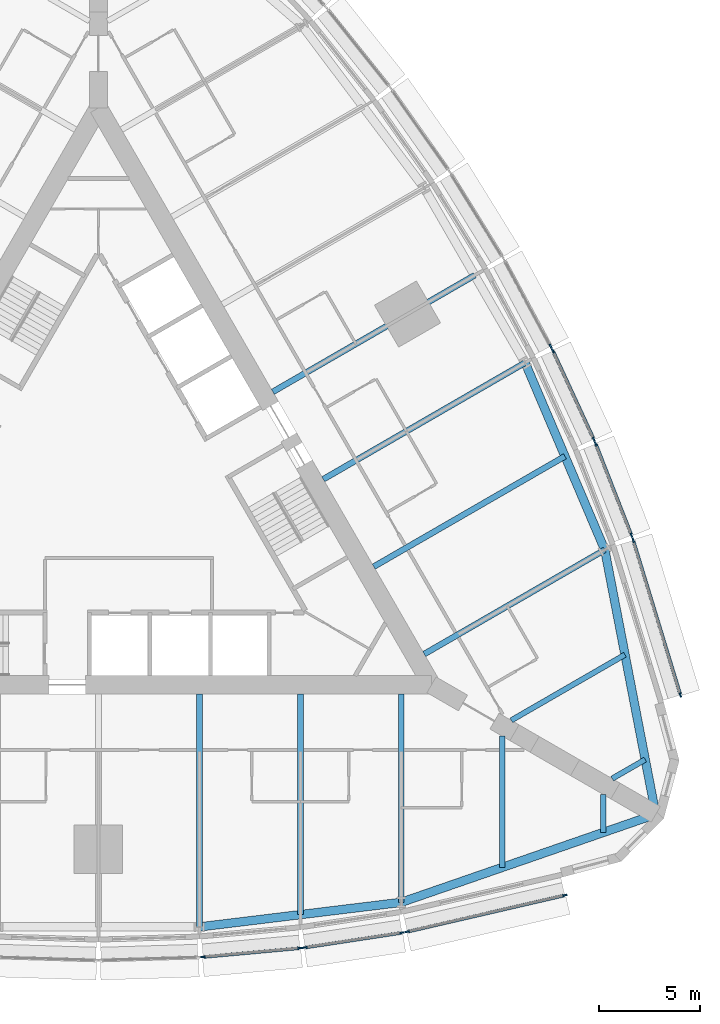
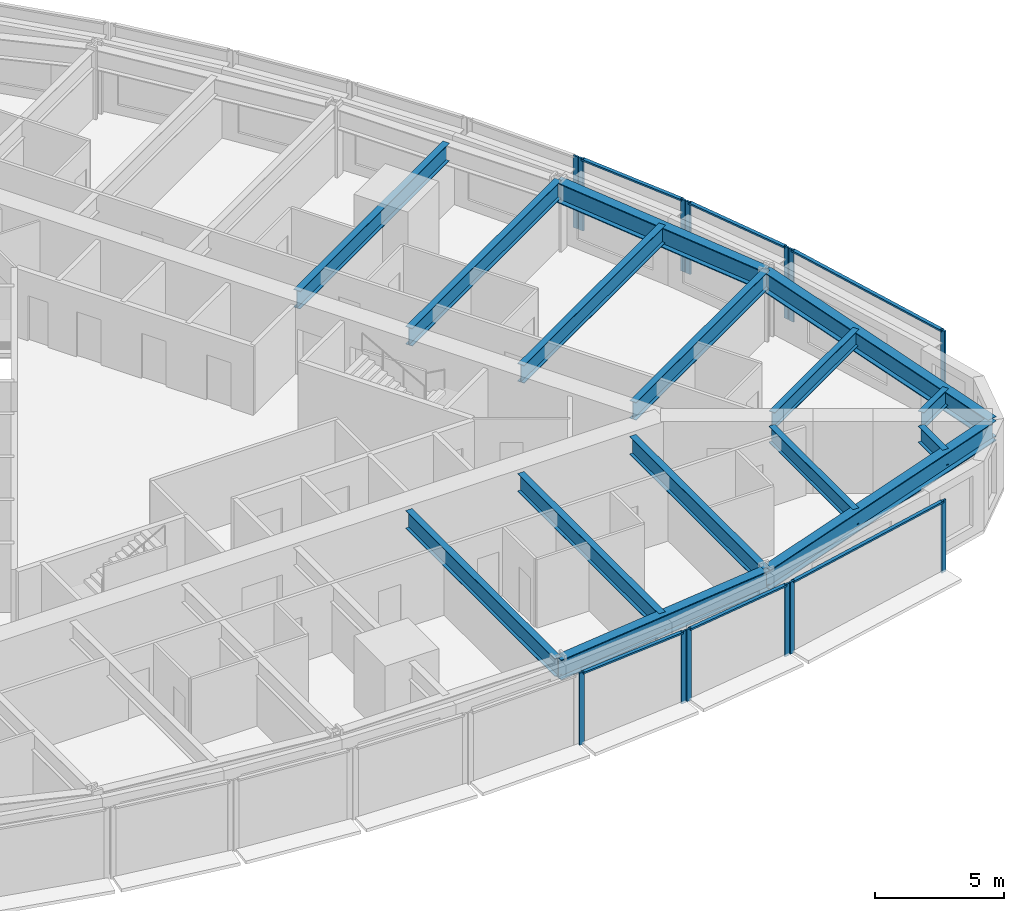
# One storey, part 3 of 14: 19 members, 15 beams, 7 elements without a shape of their own.
"""IFC4 building model written with IfcOpenShell, lengths in metres."""

from ifc_helpers import new_model, si_unit, direction, frame, origin, origin_2d, place, context, subcontext, project, spatial, rectangle, i_section, extrude, material, material_profile, profile_set, type_object, element, aggregate, save


model = new_model("IFC4")

# Units and contexts
model_context = context("Model", 3, precision=1e-05, world=origin(), true_north=direction((0.0, 1.0)))
body_context = subcontext(model_context, "Body", "Model", "MODEL_VIEW")
ifc_project = project(units=[si_unit("LENGTHUNIT", "METRE"), si_unit("AREAUNIT", "SQUARE_METRE"), si_unit("VOLUMEUNIT", "CUBIC_METRE"), si_unit("PLANEANGLEUNIT", "RADIAN"), si_unit("MASSUNIT", "GRAM", prefix="KILO")], contexts=[model_context])

# Site, building, storey
site_placement = place(None, origin())
site = spatial("IfcSite", under=ifc_project, at=site_placement, CompositionType="ELEMENT")
building_placement = place(site_placement, origin())
building = spatial("IfcBuilding", under=site, at=building_placement, Name="Trikona Tower", CompositionType="ELEMENT")
storey_placement = place(building_placement, frame((0.0, 0.0, 89.699951171875)))
storey = spatial("IfcBuildingStorey", under=building, at=storey_placement, Name="L23", CompositionType="ELEMENT", Elevation=89.699951171875)

# Curtain wall, members
ifc_material_1 = material(Name="Aluminium curtain wall system", Category="aluminium")
curtain_wall_type = type_object("IfcCurtainWallType", Name="Curtain wall DS1", PredefinedType="NOTDEFINED", material=ifc_material_1)
curtain_wall_1_placement = place(storey_placement, origin())
curtain_wall_1 = element("IfcCurtainWall", 1, at=curtain_wall_1_placement, inside=storey, type_object=curtain_wall_type, Name="Curtain wall DS1 L23", PredefinedType="NOTDEFINED")
ifc_material_2 = material(Name="Aluminium mullion, pale anodised", Category="aluminium")
ifc_material_profile_1 = material_profile(ifc_material_2, rectangle(XDim=0.080078125, YDim=0.219970703125, at=origin_2d()), Name="MUL-DS1")
ifc_profile_set_1 = profile_set([ifc_material_profile_1], Name="Aluminium mullion, pale anodised")
member_type_1 = type_object("IfcMemberType", Name="Mullion DS1 80x220", PredefinedType="MULLION", material=ifc_profile_set_1)
member_1_placement = place(storey_placement, frame((5.181396484375, -23.007568359375, 0.0), z_axis=(0.0, 0.0, 1.0), x_axis=(-0.090923932737, 0.995857840485, 0.0)))
member_1 = element("IfcMember", 2, at=member_1_placement, type_object=member_type_1, Name="CW-DS1 mullion 1", PredefinedType="MULLION", context=body_context, shape_type="SweptSolid", body=[
    extrude(rectangle(XDim=0.080078125, YDim=0.219970703125, at=origin_2d()), origin(), (0.0, 0.0, 1.0), 3.400146484375),
])
member_2_placement = place(storey_placement, frame((9.982177734375, -22.5693359375, 0.0), z_axis=(0.0, 0.0, 1.0), x_axis=(-0.090923932737, 0.995857840485, 0.0)))
member_2 = element("IfcMember", 3, at=member_2_placement, type_object=member_type_1, Name="CW-DS1 mullion 2", PredefinedType="MULLION", context=body_context, shape_type="SweptSolid", body=[
    extrude(rectangle(XDim=0.080078125, YDim=0.219970703125, at=origin_2d()), origin(), (0.0, 0.0, 1.0), 3.400146484375),
])

curtain_wall_2_placement = place(storey_placement, origin())
curtain_wall_2 = element("IfcCurtainWall", 4, at=curtain_wall_2_placement, inside=storey, type_object=curtain_wall_type, Name="Curtain wall DS1 L23", PredefinedType="NOTDEFINED")
member_3_placement = place(storey_placement, frame((10.234130859375, -22.53857421875, 0.0), z_axis=(0.0, 0.0, 1.0), x_axis=(-0.150437693845, 0.988619492156, 0.0)))
member_3 = element("IfcMember", 5, at=member_3_placement, type_object=member_type_1, Name="CW-DS1 mullion 1", PredefinedType="MULLION", context=body_context, shape_type="SweptSolid", body=[
    extrude(rectangle(XDim=0.080078125, YDim=0.219970703125, at=origin_2d()), origin(), (0.0, 0.0, 1.0), 3.400146484375),
])
member_4_placement = place(storey_placement, frame((15.03662109375, -21.807861328125, 0.0), z_axis=(0.0, 0.0, 1.0), x_axis=(-0.150437693845, 0.988619492156, 0.0)))
member_4 = element("IfcMember", 6, at=member_4_placement, type_object=member_type_1, Name="CW-DS1 mullion 2", PredefinedType="MULLION", context=body_context, shape_type="SweptSolid", body=[
    extrude(rectangle(XDim=0.080078125, YDim=0.219970703125, at=origin_2d()), origin(), (0.0, 0.0, 1.0), 3.400146484375),
])

curtain_wall_3_placement = place(storey_placement, origin())
curtain_wall_3 = element("IfcCurtainWall", 7, at=curtain_wall_3_placement, inside=storey, type_object=curtain_wall_type, Name="Curtain wall DS1 L23", PredefinedType="NOTDEFINED")
member_5_placement = place(storey_placement, frame((15.30029296875, -21.75732421875, 0.0), z_axis=(0.0, 0.0, 1.0), x_axis=(-0.225343288756, 0.974279427173, 0.0)))
member_5 = element("IfcMember", 8, at=member_5_placement, type_object=member_type_1, Name="CW-DS1 mullion 1", PredefinedType="MULLION", context=body_context, shape_type="SweptSolid", body=[
    extrude(rectangle(XDim=0.080078125, YDim=0.219970703125, at=origin_2d()), origin(), (0.0, 0.0, 1.0), 3.400146484375),
])
member_6_placement = place(storey_placement, frame((23.10546875, -19.951904296875, 0.0), z_axis=(0.0, 0.0, 1.0), x_axis=(-0.225343288756, 0.974279427173, 0.0)))
member_6 = element("IfcMember", 9, at=member_6_placement, type_object=member_type_1, Name="CW-DS1 mullion 2", PredefinedType="MULLION", context=body_context, shape_type="SweptSolid", body=[
    extrude(rectangle(XDim=0.080078125, YDim=0.219970703125, at=origin_2d()), origin(), (0.0, 0.0, 1.0), 3.400146484375),
])

curtain_wall_4_placement = place(storey_placement, origin())
curtain_wall_4 = element("IfcCurtainWall", 10, at=curtain_wall_4_placement, inside=storey, type_object=curtain_wall_type, Name="Curtain wall DS1 L23", PredefinedType="NOTDEFINED")
member_7_placement = place(storey_placement, frame((28.83154296875, -10.033935546875, 0.0), z_axis=(0.0, 0.0, 1.0), x_axis=(-0.956423115383, -0.291984287868, 0.0)))
member_7 = element("IfcMember", 11, at=member_7_placement, type_object=member_type_1, Name="CW-DS1 mullion 1", PredefinedType="MULLION", context=body_context, shape_type="SweptSolid", body=[
    extrude(rectangle(XDim=0.080078125, YDim=0.219970703125, at=origin_2d()), origin(), (0.0, 0.0, 1.0), 3.400146484375),
])
member_8_placement = place(storey_placement, frame((26.492431640625, -2.371826171875, 0.0), z_axis=(0.0, 0.0, 1.0), x_axis=(-0.956423115383, -0.291984287868, 0.0)))
member_8 = element("IfcMember", 12, at=member_8_placement, type_object=member_type_1, Name="CW-DS1 mullion 2", PredefinedType="MULLION", context=body_context, shape_type="SweptSolid", body=[
    extrude(rectangle(XDim=0.080078125, YDim=0.219970703125, at=origin_2d()), origin(), (0.0, 0.0, 1.0), 3.400146484375),
])

curtain_wall_5_placement = place(storey_placement, origin())
curtain_wall_5 = element("IfcCurtainWall", 13, at=curtain_wall_5_placement, inside=storey, type_object=curtain_wall_type, Name="Curtain wall DS1 L23", PredefinedType="NOTDEFINED")
member_9_placement = place(storey_placement, frame((26.404296875, -2.1181640625, 0.0), z_axis=(0.0, 0.0, 1.0), x_axis=(-0.931395989443, -0.36400756977, 0.0)))
member_9 = element("IfcMember", 14, at=member_9_placement, type_object=member_type_1, Name="CW-DS1 mullion 1", PredefinedType="MULLION", context=body_context, shape_type="SweptSolid", body=[
    extrude(rectangle(XDim=0.080078125, YDim=0.219970703125, at=origin_2d()), origin(), (0.0, 0.0, 1.0), 3.400146484375),
])
member_10_placement = place(storey_placement, frame((24.63623046875, 2.40625, 0.0), z_axis=(0.0, 0.0, 1.0), x_axis=(-0.931395989443, -0.36400756977, 0.0)))
member_10 = element("IfcMember", 15, at=member_10_placement, type_object=member_type_1, Name="CW-DS1 mullion 2", PredefinedType="MULLION", context=body_context, shape_type="SweptSolid", body=[
    extrude(rectangle(XDim=0.080078125, YDim=0.219970703125, at=origin_2d()), origin(), (0.0, 0.0, 1.0), 3.400146484375),
])

curtain_wall_6_placement = place(storey_placement, origin())
curtain_wall_6 = element("IfcCurtainWall", 16, at=curtain_wall_6_placement, inside=storey, type_object=curtain_wall_type, Name="Curtain wall DS1 L23", PredefinedType="NOTDEFINED")
member_11_placement = place(storey_placement, frame((24.53662109375, 2.6396484375, 0.0), z_axis=(0.0, 0.0, 1.0), x_axis=(-0.907898459992, -0.419190155352, 0.0)))
member_11 = element("IfcMember", 17, at=member_11_placement, type_object=member_type_1, Name="CW-DS1 mullion 1", PredefinedType="MULLION", context=body_context, shape_type="SweptSolid", body=[
    extrude(rectangle(XDim=0.080078125, YDim=0.219970703125, at=origin_2d()), origin(), (0.0, 0.0, 1.0), 3.400146484375),
])
member_12_placement = place(storey_placement, frame((22.515869140625, 7.0166015625, 0.0), z_axis=(0.0, 0.0, 1.0), x_axis=(-0.907898459992, -0.419190155352, 0.0)))
member_12 = element("IfcMember", 18, at=member_12_placement, type_object=member_type_1, Name="CW-DS1 mullion 2", PredefinedType="MULLION", context=body_context, shape_type="SweptSolid", body=[
    extrude(rectangle(XDim=0.080078125, YDim=0.219970703125, at=origin_2d()), origin(), (0.0, 0.0, 1.0), 3.400146484375),
])

# Curtain wall, member
curtain_wall_7_placement = place(storey_placement, origin())
curtain_wall_7 = element("IfcCurtainWall", 19, at=curtain_wall_7_placement, inside=storey, type_object=curtain_wall_type, Name="Curtain wall DS1 L23", PredefinedType="NOTDEFINED")
member_13_placement = place(storey_placement, frame((22.402099609375, 7.244140625, 0.0), z_axis=(0.0, 0.0, 1.0), x_axis=(-0.880843080975, -0.473408350896, 0.0)))
member_13 = element("IfcMember", 20, at=member_13_placement, type_object=member_type_1, Name="CW-DS1 mullion 1", PredefinedType="MULLION", context=body_context, shape_type="SweptSolid", body=[
    extrude(rectangle(XDim=0.080078125, YDim=0.219970703125, at=origin_2d()), origin(), (0.0, 0.0, 1.0), 3.400146484375),
])
aggregate(curtain_wall_7, [member_13])

# Beams
ifc_material_3 = material(Name="Steel ASTM A992 Grade 50", Category="steel")
ifc_material_profile_2 = material_profile(ifc_material_3, i_section(OverallWidth=0.2666015625, OverallDepth=0.76953125, WebThickness=0.015625, FlangeThickness=0.025390625, at=origin_2d()), Name="W30X132")
ifc_profile_set_2 = profile_set([ifc_material_profile_2], Name="Steel ASTM A992 Grade 50")
beam_type_1 = type_object("IfcBeamType", Name="Steel beam W30x132 (wedge)", PredefinedType="BEAM", material=ifc_profile_set_2)
beam_1_placement = place(storey_placement, frame((20.0, -12.066650390625, 2.850341796875), z_axis=(0.0, -1.0, 0.0), x_axis=(1.0, 0.0, 0.0)))
element("IfcBeam", 21, at=beam_1_placement, inside=storey, type_object=beam_type_1, Name="Floor beam L24 F1 u20", PredefinedType="BEAM", context=body_context, shape_type="SweptSolid", body=[
    extrude(i_section(OverallWidth=0.2666015625, OverallDepth=0.76953125, WebThickness=0.015625, FlangeThickness=0.025390625, at=origin_2d()), origin(), (0.0, 0.0, 1.0), 6.5068359375),
])
for number, where, z_axis, x_axis, name in (
    (22, (25.0, -14.953369140625, 2.850341796875), (0.0, -1.0, 0.0), (1.0, 0.0, 0.0), "Floor beam L24 F1 u25"),
    (23, (25.449951171875, -14.173828125, 2.850341796875), (0.866065156741, 0.499931139538, 0.0), (-0.499931139538, 0.866065156741, 0.0), "Floor beam L24 F2 u-25"),
):
    element("IfcBeam", number, at=place(storey_placement, frame(where, z_axis=z_axis, x_axis=x_axis)), inside=storey, type_object=beam_type_1, Name=name, PredefinedType="BEAM", context=body_context, shape_type="SweptSolid", body=[
        extrude(i_section(OverallWidth=0.2666015625, OverallDepth=0.76953125, WebThickness=0.015625, FlangeThickness=0.025390625, at=origin_2d()), origin(), (0.0, 0.0, 1.0), 1.890380859375),
    ])
beam_2_placement = place(storey_placement, frame((20.449951171875, -11.287109375, 2.850341796875), z_axis=(0.866022504693, 0.50000502134, 0.0), x_axis=(-0.50000502134, 0.866022504693, 0.0)))
element("IfcBeam", 24, at=beam_2_placement, inside=storey, type_object=beam_type_1, Name="Floor beam L24 F2 u-20", PredefinedType="BEAM", context=body_context, shape_type="SweptSolid", body=[
    extrude(i_section(OverallWidth=0.2666015625, OverallDepth=0.76953125, WebThickness=0.015625, FlangeThickness=0.025390625, at=origin_2d()), origin(), (0.0, 0.0, 1.0), 6.5068359375),
])
ifc_material_4 = material(Name="Steel ASTM A992 Grade 50", Category="steel")
ifc_material_profile_3 = material_profile(ifc_material_4, i_section(OverallWidth=0.2919921875, OverallDepth=0.845703125, WebThickness=0.015380859375, FlangeThickness=0.0244140625, at=origin_2d()), Name="W33X141")
ifc_profile_set_3 = profile_set([ifc_material_profile_3], Name="Steel ASTM A992 Grade 50")
beam_type_2 = type_object("IfcBeamType", Name="Steel beam W33x141 (radial typ)", PredefinedType="BEAM", material=ifc_profile_set_3)
beam_3_placement = place(storey_placement, frame((5.0, -9.976318359375, 2.812255859375), z_axis=(0.0, -1.0, 0.0), x_axis=(1.0, 0.0, 0.0)))
element("IfcBeam", 25, at=beam_3_placement, inside=storey, type_object=beam_type_2, Name="Floor beam L24 F1 u5", PredefinedType="BEAM", context=body_context, shape_type="SweptSolid", body=[
    extrude(i_section(OverallWidth=0.2919921875, OverallDepth=0.845703125, WebThickness=0.015380859375, FlangeThickness=0.0244140625, at=origin_2d()), origin(), (0.0, 0.0, 1.0), 11.544189453125),
])
beam_4_placement = place(storey_placement, frame((10.0, -9.976318359375, 2.812255859375), z_axis=(0.0, -1.0, 0.0), x_axis=(1.0, 0.0, 0.0)))
element("IfcBeam", 26, at=beam_4_placement, inside=storey, type_object=beam_type_2, Name="Floor beam L24 F1 u10", PredefinedType="BEAM", context=body_context, shape_type="SweptSolid", body=[
    extrude(i_section(OverallWidth=0.2919921875, OverallDepth=0.845703125, WebThickness=0.015380859375, FlangeThickness=0.0244140625, at=origin_2d()), origin(), (0.0, 0.0, 1.0), 10.935302734375),
])
beam_5_placement = place(storey_placement, frame((15.0, -9.976318359375, 2.812255859375), z_axis=(0.0, -1.0, 0.0), x_axis=(1.0, 0.0, 0.0)))
element("IfcBeam", 27, at=beam_5_placement, inside=storey, type_object=beam_type_2, Name="Floor beam L24 F1 u15", PredefinedType="BEAM", context=body_context, shape_type="SweptSolid", body=[
    extrude(i_section(OverallWidth=0.2919921875, OverallDepth=0.845703125, WebThickness=0.015380859375, FlangeThickness=0.0244140625, at=origin_2d()), origin(), (0.0, 0.0, 1.0), 10.32666015625),
])
beam_6_placement = place(storey_placement, frame((16.1396484375, -8.002197265625, 2.812255859375), z_axis=(0.866030471684, 0.499991222037, 0.0), x_axis=(-0.499991222037, 0.866030471684, 0.0)))
element("IfcBeam", 28, at=beam_6_placement, inside=storey, type_object=beam_type_2, Name="Floor beam L24 F2 u-15", PredefinedType="BEAM", context=body_context, shape_type="SweptSolid", body=[
    extrude(i_section(OverallWidth=0.2919921875, OverallDepth=0.845703125, WebThickness=0.015380859375, FlangeThickness=0.0244140625, at=origin_2d()), origin(), (0.0, 0.0, 1.0), 10.326904296875),
])
beam_7_placement = place(storey_placement, frame((13.6396484375, -3.672119140625, 2.812255859375), z_axis=(0.866025348605, 0.500000095573, 0.0), x_axis=(-0.500000095573, 0.866025348605, 0.0)))
element("IfcBeam", 29, at=beam_7_placement, inside=storey, type_object=beam_type_2, Name="Floor beam L24 F2 u-10", PredefinedType="BEAM", context=body_context, shape_type="SweptSolid", body=[
    extrude(i_section(OverallWidth=0.2919921875, OverallDepth=0.845703125, WebThickness=0.015380859375, FlangeThickness=0.0244140625, at=origin_2d()), origin(), (0.0, 0.0, 1.0), 10.935546875),
])
for number, where, z_axis, x_axis, name in (
    (30, (11.1396484375, 0.657958984375, 2.812255859375), (0.866020765707, 0.500008033299, 0.0), (-0.500008033299, 0.866020765707, 0.0), "Floor beam L24 F2 u-5"),
    (31, (8.6396484375, 4.988037109375, 2.812255859375), (0.866020765707, 0.500008033299, 0.0), (-0.500008033299, 0.866020765707, 0.0), "Floor beam L24 F2 u0"),
):
    element("IfcBeam", number, at=place(storey_placement, frame(where, z_axis=z_axis, x_axis=x_axis)), inside=storey, type_object=beam_type_2, Name=name, PredefinedType="BEAM", context=body_context, shape_type="SweptSolid", body=[
        extrude(i_section(OverallWidth=0.2919921875, OverallDepth=0.845703125, WebThickness=0.015380859375, FlangeThickness=0.0244140625, at=origin_2d()), origin(), (0.0, 0.0, 1.0), 11.544189453125),
    ])
ifc_material_5 = material(Name="Steel ASTM A992 Grade 50", Category="steel")
ifc_material_profile_4 = material_profile(ifc_material_5, i_section(OverallWidth=0.424072265625, OverallDepth=0.947509765625, WebThickness=0.02392578125, FlangeThickness=0.042724609375, at=origin_2d()), Name="W36X302")
ifc_profile_set_4 = profile_set([ifc_material_profile_4], Name="Steel ASTM A992 Grade 50")
beam_type_3 = type_object("IfcBeamType", Name="Steel beam W36x302 (spandrel)", PredefinedType="SPANDREL", material=ifc_profile_set_4)
beam_8_placement = place(storey_placement, frame((5.0, -21.5205078125, 2.76123046875), z_axis=(0.99266951126, 0.120860421207, 0.0), x_axis=(-0.120860421207, 0.99266951126, 0.0)))
element("IfcBeam", 32, at=beam_8_placement, inside=storey, type_object=beam_type_3, Name="Spandrel beam L24 F1-4", PredefinedType="SPANDREL", context=body_context, shape_type="SweptSolid", body=[
    extrude(i_section(OverallWidth=0.424072265625, OverallDepth=0.947509765625, WebThickness=0.02392578125, FlangeThickness=0.042724609375, at=origin_2d()), origin(), (0.0, 0.0, 1.0), 10.07373046875),
])
for number, where, z_axis, x_axis, name in (
    (33, (15.0, -20.302978515625, 2.76123046875), (0.945056965739, 0.326905692071, 0.0), (-0.326905692071, 0.945056965739, 0.0), "Spandrel beam L24 F1-5"),
    (34, (27.6103515625, -15.94091796875, 2.76123046875), (-0.189405184036, 0.981899015307, 0.0), (-0.981899015307, -0.189405184036, 0.0), "Spandrel beam L24 F2-1"),
):
    element("IfcBeam", number, at=place(storey_placement, frame(where, z_axis=z_axis, x_axis=x_axis)), inside=storey, type_object=beam_type_3, Name=name, PredefinedType="SPANDREL", context=body_context, shape_type="SweptSolid", body=[
        extrude(i_section(OverallWidth=0.424072265625, OverallDepth=0.947509765625, WebThickness=0.02392578125, FlangeThickness=0.042724609375, at=origin_2d()), origin(), (0.0, 0.0, 1.0), 13.343505859375),
    ])
beam_9_placement = place(storey_placement, frame((25.0830078125, -2.8388671875, 2.76123046875), z_axis=(-0.391683514847, 0.920100007715, 0.0), x_axis=(-0.920100007715, -0.391683514847, 0.0)))
element("IfcBeam", 35, at=beam_9_placement, inside=storey, type_object=beam_type_3, Name="Spandrel beam L24 F2-2", PredefinedType="SPANDREL", context=body_context, shape_type="SweptSolid", body=[
    extrude(i_section(OverallWidth=0.424072265625, OverallDepth=0.947509765625, WebThickness=0.02392578125, FlangeThickness=0.042724609375, at=origin_2d()), origin(), (0.0, 0.0, 1.0), 10.073974609375),
])

# Member
ifc_material_6 = material(Name="Aluminium transom, pale anodised", Category="aluminium")
ifc_material_profile_5 = material_profile(ifc_material_6, rectangle(XDim=0.159912109375, YDim=0.080078125, at=origin_2d()), Name="TRN-DS1")
ifc_profile_set_5 = profile_set([ifc_material_profile_5], Name="Aluminium transom, pale anodised")
member_type_2 = type_object("IfcMemberType", Name="Transom DS1 80x160", PredefinedType="USERDEFINED", material=ifc_profile_set_5)
member_14_placement = place(storey_placement, frame((5.22119140625, -23.00390625, 3.360107421875), z_axis=(0.995855977008, 0.090944340438, 0.0), x_axis=(-0.090944340438, 0.995855977008, 0.0)))
member_14 = element("IfcMember", 36, at=member_14_placement, type_object=member_type_2, Name="CW-DS1 transom 1.1", ObjectType="TRANSOM", PredefinedType="USERDEFINED", context=body_context, shape_type="SweptSolid", body=[
    extrude(rectangle(XDim=0.159912109375, YDim=0.080078125, at=origin_2d()), origin(), (0.0, 0.0, 1.0), 4.74072265625),
])

aggregate(curtain_wall_1, [member_1, member_2, member_14])

member_15_placement = place(storey_placement, frame((10.273681640625, -22.532470703125, 3.360107421875), z_axis=(0.988619663412, 0.150436568413, 0.0), x_axis=(-0.150436568413, 0.988619663412, 0.0)))
member_15 = element("IfcMember", 37, at=member_15_placement, type_object=member_type_2, Name="CW-DS1 transom 1.1", ObjectType="TRANSOM", PredefinedType="USERDEFINED", context=body_context, shape_type="SweptSolid", body=[
    extrude(rectangle(XDim=0.159912109375, YDim=0.080078125, at=origin_2d()), origin(), (0.0, 0.0, 1.0), 4.77783203125),
])

aggregate(curtain_wall_2, [member_3, member_4, member_15])

member_16_placement = place(storey_placement, frame((15.33935546875, -21.748291015625, 3.360107421875), z_axis=(0.974275371842, 0.225360821398, 0.0), x_axis=(-0.225360821398, 0.974275371842, 0.0)))
member_16 = element("IfcMember", 38, at=member_16_placement, type_object=member_type_2, Name="CW-DS1 transom 1.1", ObjectType="TRANSOM", PredefinedType="USERDEFINED", context=body_context, shape_type="SweptSolid", body=[
    extrude(rectangle(XDim=0.159912109375, YDim=0.080078125, at=origin_2d()), origin(), (0.0, 0.0, 1.0), 7.93115234375),
])

aggregate(curtain_wall_3, [member_5, member_6, member_16])

member_17_placement = place(storey_placement, frame((28.81982421875, -9.99560546875, 3.360107421875), z_axis=(-0.291967490203, 0.956428243343, 0.0), x_axis=(-0.956428243343, -0.291967490203, 0.0)))
member_17 = element("IfcMember", 39, at=member_17_placement, type_object=member_type_2, Name="CW-DS1 transom 1.1", ObjectType="TRANSOM", PredefinedType="USERDEFINED", context=body_context, shape_type="SweptSolid", body=[
    extrude(rectangle(XDim=0.159912109375, YDim=0.080078125, at=origin_2d()), origin(), (0.0, 0.0, 1.0), 7.93115234375),
])

aggregate(curtain_wall_4, [member_7, member_8, member_17])

member_18_placement = place(storey_placement, frame((26.389892578125, -2.080810546875, 3.360107421875), z_axis=(-0.364048647668, 0.931379934362, 0.0), x_axis=(-0.931379934362, -0.364048647668, 0.0)))
member_18 = element("IfcMember", 40, at=member_18_placement, type_object=member_type_2, Name="CW-DS1 transom 1.1", ObjectType="TRANSOM", PredefinedType="USERDEFINED", context=body_context, shape_type="SweptSolid", body=[
    extrude(rectangle(XDim=0.159912109375, YDim=0.080078125, at=origin_2d()), origin(), (0.0, 0.0, 1.0), 4.777587890625),
])

aggregate(curtain_wall_5, [member_9, member_10, member_18])

member_19_placement = place(storey_placement, frame((24.52001953125, 2.676025390625, 3.360107421875), z_axis=(-0.419188800665, 0.90789908547, 0.0), x_axis=(-0.90789908547, -0.419188800665, 0.0)))
member_19 = element("IfcMember", 41, at=member_19_placement, type_object=member_type_2, Name="CW-DS1 transom 1.1", ObjectType="TRANSOM", PredefinedType="USERDEFINED", context=body_context, shape_type="SweptSolid", body=[
    extrude(rectangle(XDim=0.159912109375, YDim=0.080078125, at=origin_2d()), origin(), (0.0, 0.0, 1.0), 4.74072265625),
])

aggregate(curtain_wall_6, [member_11, member_12, member_19])

save(model, "model.ifc")
